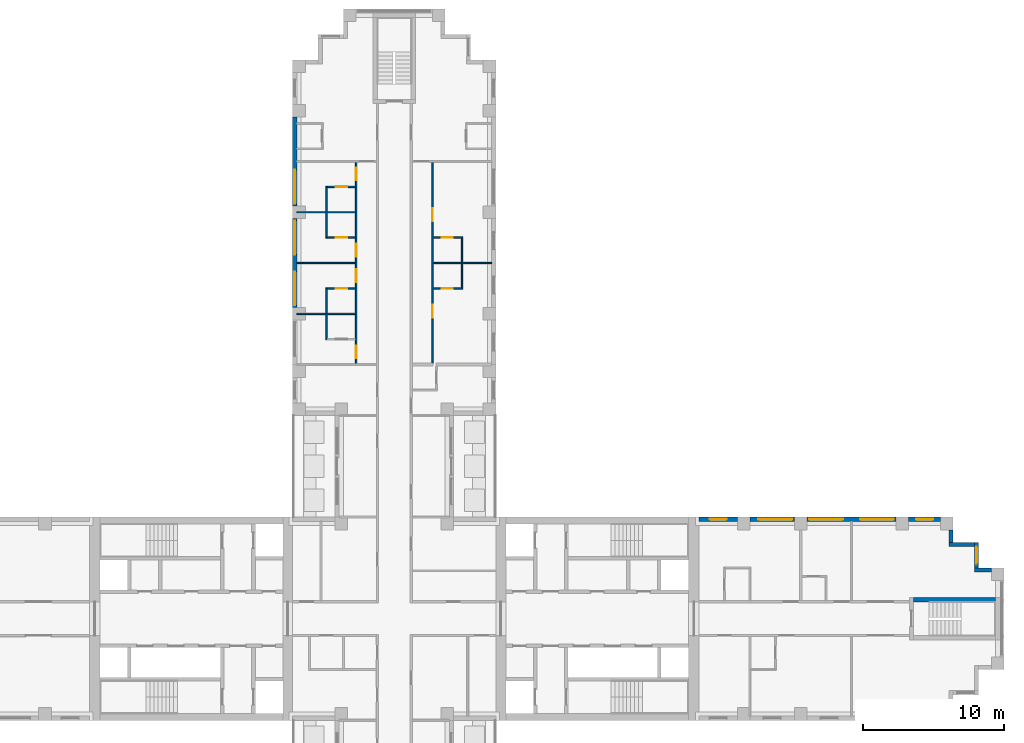
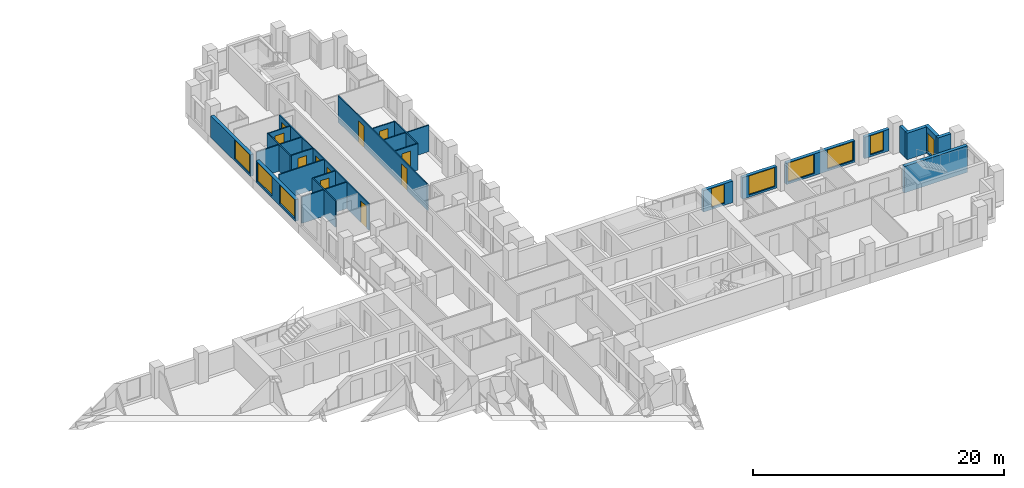
# One storey, part 11 of 15: 25 walls, 11 doors, 9 windows, 20 openings.
"""IFC4 building model written with IfcOpenShell, lengths in metres."""

from ifc_helpers import new_model, si_unit, direction, frame, frame_2d, origin, place, context, subcontext, project, spatial, rectangle, extrude, material, layer, layer_set, type_object, element, fill, save


model = new_model("IFC4")

# Units and contexts
model_context = context("Model", 3, precision=1e-05, world=origin(), true_north=direction((0.0, 1.0)))
body_context = subcontext(model_context, "Body", "Model", "MODEL_VIEW")
ifc_project = project(units=[si_unit("LENGTHUNIT", "METRE"), si_unit("AREAUNIT", "SQUARE_METRE"), si_unit("VOLUMEUNIT", "CUBIC_METRE"), si_unit("PLANEANGLEUNIT", "RADIAN"), si_unit("MASSUNIT", "GRAM", prefix="KILO")], contexts=[model_context])

# Site, building, storey
site_placement = place(None, origin())
site = spatial("IfcSite", under=ifc_project, at=site_placement, CompositionType="ELEMENT")
building_placement = place(site_placement, origin())
building = spatial("IfcBuilding", under=site, at=building_placement, Name="Fustian Cross Tower", CompositionType="ELEMENT")
storey_placement = place(building_placement, frame((0.0, 0.0, 29.699951171875)))
storey = spatial("IfcBuildingStorey", under=building, at=storey_placement, Name="L08", CompositionType="ELEMENT", Elevation=29.699951171875)

# Walls
ifc_material_1 = material(Name="Plasterboard on steel stud", Category="steel")
ifc_layer_1 = layer(ifc_material_1, 0.10009765625)
ifc_layer_set_1 = layer_set([ifc_layer_1], Name="Plasterboard on steel stud")
wall_type_1 = type_object("IfcWallType", Name="PARTITION 100 STUD", PredefinedType="PARTITIONING", material=ifc_layer_set_1)
for number, where, z_axis, x_axis, name in (
    (1, (-6.89990234375, 21.60009765625, 0.0), (0.0, 0.0, 1.0), (1.0, 0.0, 0.0), "Partition 15"),
    (2, (-6.89990234375, 25.199951171875, 0.0), (0.0, 0.0, 1.0), (1.0, 0.0, 0.0), "Partition 16"),
    (3, (-6.89990234375, 28.800048828125, 0.0), (0.0, 0.0, 1.0), (1.0, 0.0, 0.0), "Partition 17"),
):
    element("IfcWall", number, at=place(storey_placement, frame(where, z_axis=z_axis, x_axis=x_axis)), inside=storey, type_object=wall_type_1, Name=name, PredefinedType="PARTITIONING", context=body_context, shape_type="SweptSolid", body=[
        extrude(rectangle(XDim=4.14990234375, YDim=0.10009765625, at=frame_2d((2.074951171875, 0.0))), origin(), (0.0, 0.0, 1.0), 2.574951171875),
    ])
wall_1_placement = place(storey_placement, frame((-4.800048828125, 19.75, 0.0), z_axis=(0.0, 0.0, 1.0), x_axis=(0.0, 1.0, 0.0)))
element("IfcWall", 4, at=wall_1_placement, inside=storey, type_object=wall_type_1, Name="Partition 29", PredefinedType="PARTITIONING", context=body_context, shape_type="SweptSolid", body=[
    extrude(rectangle(XDim=3.699951171875, YDim=0.10009765625, at=frame_2d((1.85009765625, 0.0))), origin(), (0.0, 0.0, 1.0), 2.574951171875),
])

# Wall, opening, door
wall_2_placement = place(storey_placement, frame((-4.75, 23.39990234375, 0.0), z_axis=(0.0, 0.0, 1.0), x_axis=(1.0, 0.0, 0.0)))
wall_2 = element("IfcWall", 5, at=wall_2_placement, inside=storey, type_object=wall_type_1, Name="Partition 31", PredefinedType="PARTITIONING", context=body_context, shape_type="SweptSolid", body=[
    extrude(rectangle(XDim=2.0, YDim=0.10009765625, at=frame_2d((1.0, 0.0))), origin(), (0.0, 0.0, 1.0), 2.574951171875),
])
opening_1_placement = place(wall_2_placement, frame((0.60009765625, 0.0, 0.0)))
opening_1 = element("IfcOpeningElement", 6, at=opening_1_placement, cuts=wall_2, Name="Opening D06029", PredefinedType="OPENING", context=body_context, shape_type="SweptSolid", body=[
    extrude(rectangle(XDim=0.800048828125, YDim=2.10009765625, at=frame_2d((0.39990234375, 1.050048828125))), frame((0.0, 0.06005859375, 0.0), z_axis=(0.0, -1.0, 0.0), x_axis=(1.0, 0.0, 0.0)), (0.0, 0.0, 1.0), 0.1201171875),
])
ifc_material_2 = material(Name="Painted timber", Category="wood")
door_type_1 = type_object("IfcDoorType", Name="SWING DOOR 800", OperationType="SINGLE_SWING_LEFT", PredefinedType="DOOR", material=ifc_material_2)
door_1_placement = place(opening_1_placement, frame((0.800048828125, 0.0, 0.0), z_axis=(0.0, 0.0, 1.0), x_axis=(-1.0, 0.0, 0.0)))
door_1 = element("IfcDoor", 7, at=door_1_placement, inside=storey, type_object=door_type_1, Name="Door D06029", OperationType="SINGLE_SWING_RIGHT", OverallHeight=2.10009765625, OverallWidth=0.800048828125, PredefinedType="DOOR", context=body_context, shape_type="SweptSolid", body=[
    extrude(rectangle(XDim=0.800048828125, YDim=2.10009765625, at=frame_2d((0.39990234375, 1.050048828125))), frame((0.0, 0.02490234375, 0.0), z_axis=(0.0, -1.0, 0.0), x_axis=(1.0, 0.0, 0.0)), (0.0, 0.0, 1.0), 0.050048828125),
])
fill(opening_1, door_1)

# Wall
wall_3_placement = place(storey_placement, frame((-4.800048828125, 26.949951171875, 0.0), z_axis=(0.0, 0.0, 1.0), x_axis=(0.0, 1.0, 0.0)))
element("IfcWall", 8, at=wall_3_placement, inside=storey, type_object=wall_type_1, Name="Partition 32", PredefinedType="PARTITIONING", context=body_context, shape_type="SweptSolid", body=[
    extrude(rectangle(XDim=3.699951171875, YDim=0.10009765625, at=frame_2d((1.85009765625, 0.0))), origin(), (0.0, 0.0, 1.0), 2.574951171875),
])

# Wall, opening, door
wall_4_placement = place(storey_placement, frame((-4.75, 27.0, 0.0), z_axis=(0.0, 0.0, 1.0), x_axis=(1.0, 0.0, 0.0)))
wall_4 = element("IfcWall", 9, at=wall_4_placement, inside=storey, type_object=wall_type_1, Name="Partition 33", PredefinedType="PARTITIONING", context=body_context, shape_type="SweptSolid", body=[
    extrude(rectangle(XDim=2.0, YDim=0.10009765625, at=frame_2d((1.0, 0.0))), origin(), (0.0, 0.0, 1.0), 2.574951171875),
])
opening_2_placement = place(wall_4_placement, frame((0.60009765625, 0.0, 0.0)))
opening_2 = element("IfcOpeningElement", 10, at=opening_2_placement, cuts=wall_4, Name="Opening D06030", PredefinedType="OPENING", context=body_context, shape_type="SweptSolid", body=[
    extrude(rectangle(XDim=0.800048828125, YDim=2.10009765625, at=frame_2d((0.39990234375, 1.050048828125))), frame((0.0, 0.06005859375, 0.0), z_axis=(0.0, -1.0, 0.0), x_axis=(1.0, 0.0, 0.0)), (0.0, 0.0, 1.0), 0.1201171875),
])
door_2_placement = place(opening_2_placement, origin())
door_2 = element("IfcDoor", 11, at=door_2_placement, inside=storey, type_object=door_type_1, Name="Door D06030", OperationType="SINGLE_SWING_LEFT", OverallHeight=2.10009765625, OverallWidth=0.800048828125, PredefinedType="DOOR", context=body_context, shape_type="SweptSolid", body=[
    extrude(rectangle(XDim=0.800048828125, YDim=2.10009765625, at=frame_2d((0.39990234375, 1.050048828125))), frame((0.0, 0.02490234375, 0.0), z_axis=(0.0, -1.0, 0.0), x_axis=(1.0, 0.0, 0.0)), (0.0, 0.0, 1.0), 0.050048828125),
])
fill(opening_2, door_2)

wall_5_placement = place(storey_placement, frame((-4.75, 30.60009765625, 0.0), z_axis=(0.0, 0.0, 1.0), x_axis=(1.0, 0.0, 0.0)))
wall_5 = element("IfcWall", 12, at=wall_5_placement, inside=storey, type_object=wall_type_1, Name="Partition 34", PredefinedType="PARTITIONING", context=body_context, shape_type="SweptSolid", body=[
    extrude(rectangle(XDim=2.0, YDim=0.10009765625, at=frame_2d((1.0, 0.0))), origin(), (0.0, 0.0, 1.0), 2.574951171875),
])
opening_3_placement = place(wall_5_placement, frame((0.60009765625, 0.0, 0.0)))
opening_3 = element("IfcOpeningElement", 13, at=opening_3_placement, cuts=wall_5, Name="Opening D06031", PredefinedType="OPENING", context=body_context, shape_type="SweptSolid", body=[
    extrude(rectangle(XDim=0.800048828125, YDim=2.10009765625, at=frame_2d((0.39990234375, 1.050048828125))), frame((0.0, 0.06005859375, 0.0), z_axis=(0.0, -1.0, 0.0), x_axis=(1.0, 0.0, 0.0)), (0.0, 0.0, 1.0), 0.1201171875),
])
door_3_placement = place(opening_3_placement, frame((0.800048828125, 0.0, 0.0), z_axis=(0.0, 0.0, 1.0), x_axis=(-1.0, 0.0, 0.0)))
door_3 = element("IfcDoor", 14, at=door_3_placement, inside=storey, type_object=door_type_1, Name="Door D06031", OperationType="SINGLE_SWING_RIGHT", OverallHeight=2.10009765625, OverallWidth=0.800048828125, PredefinedType="DOOR", context=body_context, shape_type="SweptSolid", body=[
    extrude(rectangle(XDim=0.800048828125, YDim=2.10009765625, at=frame_2d((0.39990234375, 1.050048828125))), frame((0.0, 0.02490234375, 0.0), z_axis=(0.0, -1.0, 0.0), x_axis=(1.0, 0.0, 0.0)), (0.0, 0.0, 1.0), 0.050048828125),
])
fill(opening_3, door_3)

# Wall, openings, doors
wall_6_placement = place(storey_placement, frame((-2.699951171875, 18.050048828125, 0.0), z_axis=(0.0, 0.0, 1.0), x_axis=(0.0, 1.0, 0.0)))
wall_6 = element("IfcWall", 15, at=wall_6_placement, inside=storey, type_object=wall_type_1, Name="Partition 44", PredefinedType="PARTITIONING", context=body_context, shape_type="SweptSolid", body=[
    extrude(rectangle(XDim=14.300048828125, YDim=0.10009765625, at=frame_2d((7.14990234375, 0.0))), origin(), (0.0, 0.0, 1.0), 2.574951171875),
])
opening_4_placement = place(wall_6_placement, frame((0.400146484375, 0.0, 0.0)))
opening_4 = element("IfcOpeningElement", 16, at=opening_4_placement, cuts=wall_6, Name="Opening D06023", PredefinedType="OPENING", context=body_context, shape_type="SweptSolid", body=[
    extrude(rectangle(XDim=0.89990234375, YDim=2.10009765625, at=frame_2d((0.449951171875, 1.050048828125))), frame((0.0, 0.06005859375, 0.0), z_axis=(0.0, -1.0, 0.0), x_axis=(1.0, 0.0, 0.0)), (0.0, 0.0, 1.0), 0.1201171875),
])
opening_5_placement = place(wall_6_placement, frame((5.800048828125, 0.0, 0.0)))
opening_5 = element("IfcOpeningElement", 17, at=opening_5_placement, cuts=wall_6, Name="Opening D06024", PredefinedType="OPENING", context=body_context, shape_type="SweptSolid", body=[
    extrude(rectangle(XDim=0.89990234375, YDim=2.10009765625, at=frame_2d((0.449951171875, 1.050048828125))), frame((0.0, 0.06005859375, 0.0), z_axis=(0.0, -1.0, 0.0), x_axis=(1.0, 0.0, 0.0)), (0.0, 0.0, 1.0), 0.1201171875),
])
opening_6_placement = place(wall_6_placement, frame((7.60009765625, 0.0, 0.0)))
opening_6 = element("IfcOpeningElement", 18, at=opening_6_placement, cuts=wall_6, Name="Opening D06025", PredefinedType="OPENING", context=body_context, shape_type="SweptSolid", body=[
    extrude(rectangle(XDim=0.89990234375, YDim=2.10009765625, at=frame_2d((0.449951171875, 1.050048828125))), frame((0.0, 0.06005859375, 0.0), z_axis=(0.0, -1.0, 0.0), x_axis=(1.0, 0.0, 0.0)), (0.0, 0.0, 1.0), 0.1201171875),
])
opening_7_placement = place(wall_6_placement, frame((13.0, 0.0, 0.0)))
opening_7 = element("IfcOpeningElement", 19, at=opening_7_placement, cuts=wall_6, Name="Opening D06026", PredefinedType="OPENING", context=body_context, shape_type="SweptSolid", body=[
    extrude(rectangle(XDim=0.89990234375, YDim=2.10009765625, at=frame_2d((0.449951171875, 1.050048828125))), frame((0.0, 0.06005859375, 0.0), z_axis=(0.0, -1.0, 0.0), x_axis=(1.0, 0.0, 0.0)), (0.0, 0.0, 1.0), 0.1201171875),
])
ifc_material_3 = material(Name="Painted timber", Category="wood")
door_type_2 = type_object("IfcDoorType", Name="SWING DOOR 900", OperationType="SINGLE_SWING_LEFT", PredefinedType="DOOR", material=ifc_material_3)
door_4_placement = place(opening_4_placement, origin())
door_4 = element("IfcDoor", 20, at=door_4_placement, inside=storey, type_object=door_type_2, Name="Door D06023", OperationType="SINGLE_SWING_LEFT", OverallHeight=2.10009765625, OverallWidth=0.89990234375, PredefinedType="DOOR", context=body_context, shape_type="SweptSolid", body=[
    extrude(rectangle(XDim=0.89990234375, YDim=2.10009765625, at=frame_2d((0.449951171875, 1.050048828125))), frame((0.0, 0.02490234375, 0.0), z_axis=(0.0, -1.0, 0.0), x_axis=(1.0, 0.0, 0.0)), (0.0, 0.0, 1.0), 0.050048828125),
])
fill(opening_4, door_4)
door_5_placement = place(opening_5_placement, origin())
door_5 = element("IfcDoor", 21, at=door_5_placement, inside=storey, type_object=door_type_2, Name="Door D06024", OperationType="SINGLE_SWING_LEFT", OverallHeight=2.10009765625, OverallWidth=0.89990234375, PredefinedType="DOOR", context=body_context, shape_type="SweptSolid", body=[
    extrude(rectangle(XDim=0.89990234375, YDim=2.10009765625, at=frame_2d((0.449951171875, 1.050048828125))), frame((0.0, 0.02490234375, 0.0), z_axis=(0.0, -1.0, 0.0), x_axis=(1.0, 0.0, 0.0)), (0.0, 0.0, 1.0), 0.050048828125),
])
fill(opening_5, door_5)
door_6_placement = place(opening_6_placement, origin())
door_6 = element("IfcDoor", 22, at=door_6_placement, inside=storey, type_object=door_type_2, Name="Door D06025", OperationType="SINGLE_SWING_LEFT", OverallHeight=2.10009765625, OverallWidth=0.89990234375, PredefinedType="DOOR", context=body_context, shape_type="SweptSolid", body=[
    extrude(rectangle(XDim=0.89990234375, YDim=2.10009765625, at=frame_2d((0.449951171875, 1.050048828125))), frame((0.0, 0.02490234375, 0.0), z_axis=(0.0, -1.0, 0.0), x_axis=(1.0, 0.0, 0.0)), (0.0, 0.0, 1.0), 0.050048828125),
])
fill(opening_6, door_6)
door_7_placement = place(opening_7_placement, origin())
door_7 = element("IfcDoor", 23, at=door_7_placement, inside=storey, type_object=door_type_2, Name="Door D06026", OperationType="SINGLE_SWING_LEFT", OverallHeight=2.10009765625, OverallWidth=0.89990234375, PredefinedType="DOOR", context=body_context, shape_type="SweptSolid", body=[
    extrude(rectangle(XDim=0.89990234375, YDim=2.10009765625, at=frame_2d((0.449951171875, 1.050048828125))), frame((0.0, 0.02490234375, 0.0), z_axis=(0.0, -1.0, 0.0), x_axis=(1.0, 0.0, 0.0)), (0.0, 0.0, 1.0), 0.050048828125),
])
fill(opening_7, door_7)

wall_7_placement = place(storey_placement, frame((2.699951171875, 18.10009765625, 0.0), z_axis=(0.0, 0.0, 1.0), x_axis=(0.0, 1.0, 0.0)))
wall_7 = element("IfcWall", 24, at=wall_7_placement, inside=storey, type_object=wall_type_1, Name="Partition 70", PredefinedType="PARTITIONING", context=body_context, shape_type="SweptSolid", body=[
    extrude(rectangle(XDim=14.25, YDim=0.10009765625, at=frame_2d((7.125, 0.0))), origin(), (0.0, 0.0, 1.0), 2.574951171875),
])
opening_8_placement = place(wall_7_placement, frame((3.22998046875, 0.0, 0.0)))
opening_8 = element("IfcOpeningElement", 25, at=opening_8_placement, cuts=wall_7, Name="Opening D06038", PredefinedType="OPENING", context=body_context, shape_type="SweptSolid", body=[
    extrude(rectangle(XDim=0.89990234375, YDim=2.10009765625, at=frame_2d((0.449951171875, 1.050048828125))), frame((0.0, 0.06005859375, 0.0), z_axis=(0.0, -1.0, 0.0), x_axis=(1.0, 0.0, 0.0)), (0.0, 0.0, 1.0), 0.1201171875),
])
opening_9_placement = place(wall_7_placement, frame((10.06982421875, 0.0, 0.0)))
opening_9 = element("IfcOpeningElement", 26, at=opening_9_placement, cuts=wall_7, Name="Opening D06039", PredefinedType="OPENING", context=body_context, shape_type="SweptSolid", body=[
    extrude(rectangle(XDim=0.89990234375, YDim=2.10009765625, at=frame_2d((0.449951171875, 1.050048828125))), frame((0.0, 0.06005859375, 0.0), z_axis=(0.0, -1.0, 0.0), x_axis=(1.0, 0.0, 0.0)), (0.0, 0.0, 1.0), 0.1201171875),
])
door_8_placement = place(opening_8_placement, origin())
door_8 = element("IfcDoor", 27, at=door_8_placement, inside=storey, type_object=door_type_2, Name="Door D06038", OperationType="SINGLE_SWING_LEFT", OverallHeight=2.10009765625, OverallWidth=0.89990234375, PredefinedType="DOOR", context=body_context, shape_type="SweptSolid", body=[
    extrude(rectangle(XDim=0.89990234375, YDim=2.10009765625, at=frame_2d((0.449951171875, 1.050048828125))), frame((0.0, 0.02490234375, 0.0), z_axis=(0.0, -1.0, 0.0), x_axis=(1.0, 0.0, 0.0)), (0.0, 0.0, 1.0), 0.050048828125),
])
fill(opening_8, door_8)
door_9_placement = place(opening_9_placement, origin())
door_9 = element("IfcDoor", 28, at=door_9_placement, inside=storey, type_object=door_type_2, Name="Door D06039", OperationType="SINGLE_SWING_RIGHT", OverallHeight=2.10009765625, OverallWidth=0.89990234375, PredefinedType="DOOR", context=body_context, shape_type="SweptSolid", body=[
    extrude(rectangle(XDim=0.89990234375, YDim=2.10009765625, at=frame_2d((0.449951171875, 1.050048828125))), frame((0.0, 0.02490234375, 0.0), z_axis=(0.0, -1.0, 0.0), x_axis=(1.0, 0.0, 0.0)), (0.0, 0.0, 1.0), 0.050048828125),
])
fill(opening_9, door_9)

# Wall, opening, door
wall_8_placement = place(storey_placement, frame((2.75, 23.39990234375, 0.0), z_axis=(0.0, 0.0, 1.0), x_axis=(1.0, 0.0, 0.0)))
wall_8 = element("IfcWall", 29, at=wall_8_placement, inside=storey, type_object=wall_type_1, Name="Partition 71", PredefinedType="PARTITIONING", context=body_context, shape_type="SweptSolid", body=[
    extrude(rectangle(XDim=2.10009765625, YDim=0.10009765625, at=frame_2d((1.050048828125, 0.0))), origin(), (0.0, 0.0, 1.0), 2.574951171875),
])
opening_10_placement = place(wall_8_placement, frame((0.60009765625, 0.0, 0.0)))
opening_10 = element("IfcOpeningElement", 30, at=opening_10_placement, cuts=wall_8, Name="Opening D06040", PredefinedType="OPENING", context=body_context, shape_type="SweptSolid", body=[
    extrude(rectangle(XDim=0.800048828125, YDim=2.10009765625, at=frame_2d((0.39990234375, 1.050048828125))), frame((0.0, 0.06005859375, 0.0), z_axis=(0.0, -1.0, 0.0), x_axis=(1.0, 0.0, 0.0)), (0.0, 0.0, 1.0), 0.1201171875),
])
door_10_placement = place(opening_10_placement, origin())
door_10 = element("IfcDoor", 31, at=door_10_placement, inside=storey, type_object=door_type_1, Name="Door D06040", OperationType="SINGLE_SWING_LEFT", OverallHeight=2.10009765625, OverallWidth=0.800048828125, PredefinedType="DOOR", context=body_context, shape_type="SweptSolid", body=[
    extrude(rectangle(XDim=0.800048828125, YDim=2.10009765625, at=frame_2d((0.39990234375, 1.050048828125))), frame((0.0, 0.02490234375, 0.0), z_axis=(0.0, -1.0, 0.0), x_axis=(1.0, 0.0, 0.0)), (0.0, 0.0, 1.0), 0.050048828125),
])
fill(opening_10, door_10)

# Wall
wall_9_placement = place(storey_placement, frame((2.75, 25.199951171875, 0.0), z_axis=(0.0, 0.0, 1.0), x_axis=(1.0, 0.0, 0.0)))
element("IfcWall", 32, at=wall_9_placement, inside=storey, type_object=wall_type_1, Name="Partition 72", PredefinedType="PARTITIONING", context=body_context, shape_type="SweptSolid", body=[
    extrude(rectangle(XDim=4.14990234375, YDim=0.10009765625, at=frame_2d((2.074951171875, 0.0))), origin(), (0.0, 0.0, 1.0), 2.574951171875),
])

# Wall, opening, door
wall_10_placement = place(storey_placement, frame((2.75, 27.0, 0.0), z_axis=(0.0, 0.0, 1.0), x_axis=(1.0, 0.0, 0.0)))
wall_10 = element("IfcWall", 33, at=wall_10_placement, inside=storey, type_object=wall_type_1, Name="Partition 73", PredefinedType="PARTITIONING", context=body_context, shape_type="SweptSolid", body=[
    extrude(rectangle(XDim=2.10009765625, YDim=0.10009765625, at=frame_2d((1.050048828125, 0.0))), origin(), (0.0, 0.0, 1.0), 2.574951171875),
])
opening_11_placement = place(wall_10_placement, frame((0.60009765625, 0.0, 0.0)))
opening_11 = element("IfcOpeningElement", 34, at=opening_11_placement, cuts=wall_10, Name="Opening D06041", PredefinedType="OPENING", context=body_context, shape_type="SweptSolid", body=[
    extrude(rectangle(XDim=0.800048828125, YDim=2.10009765625, at=frame_2d((0.39990234375, 1.050048828125))), frame((0.0, 0.06005859375, 0.0), z_axis=(0.0, -1.0, 0.0), x_axis=(1.0, 0.0, 0.0)), (0.0, 0.0, 1.0), 0.1201171875),
])
door_11_placement = place(opening_11_placement, frame((0.800048828125, 0.0, 0.0), z_axis=(0.0, 0.0, 1.0), x_axis=(-1.0, 0.0, 0.0)))
door_11 = element("IfcDoor", 35, at=door_11_placement, inside=storey, type_object=door_type_1, Name="Door D06041", OperationType="SINGLE_SWING_RIGHT", OverallHeight=2.10009765625, OverallWidth=0.800048828125, PredefinedType="DOOR", context=body_context, shape_type="SweptSolid", body=[
    extrude(rectangle(XDim=0.800048828125, YDim=2.10009765625, at=frame_2d((0.39990234375, 1.050048828125))), frame((0.0, 0.02490234375, 0.0), z_axis=(0.0, -1.0, 0.0), x_axis=(1.0, 0.0, 0.0)), (0.0, 0.0, 1.0), 0.050048828125),
])
fill(opening_11, door_11)

# Walls
wall_11_placement = place(storey_placement, frame((4.800048828125, 23.449951171875, 0.0), z_axis=(0.0, 0.0, 1.0), x_axis=(0.0, 1.0, 0.0)))
element("IfcWall", 36, at=wall_11_placement, inside=storey, type_object=wall_type_1, Name="Partition 80", PredefinedType="PARTITIONING", context=body_context, shape_type="SweptSolid", body=[
    extrude(rectangle(XDim=3.5, YDim=0.10009765625, at=frame_2d((1.75, 0.0))), origin(), (0.0, 0.0, 1.0), 2.574951171875),
])
ifc_material_4 = material(Name="Concrete C50/60", Category="concrete")
ifc_layer_2 = layer(ifc_material_4, 0.300048828125)
ifc_layer_set_2 = layer_set([ifc_layer_2], Name="Concrete C50/60")
wall_type_2 = type_object("IfcWallType", Name="STAIR ENCLOSURE WALL 300 C50/60", PredefinedType="SHEAR", material=ifc_layer_set_2)
wall_12_placement = place(storey_placement, frame((36.800048828125, 1.35009765625, 0.0), z_axis=(0.0, 0.0, 1.0), x_axis=(1.0, 0.0, 0.0)))
element("IfcWall", 37, at=wall_12_placement, inside=storey, type_object=wall_type_2, Name="Stair enclosure wall", PredefinedType="SHEAR", context=body_context, shape_type="SweptSolid", body=[
    extrude(rectangle(XDim=5.800048828125, YDim=0.300048828125, at=frame_2d((2.89990234375, 0.0))), origin(), (0.0, 0.0, 1.0), 2.574951171875),
])
ifc_material_5 = material(Name="Dark aluminium cladding on insulated backing wall", Category="aluminium")
ifc_layer_3 = layer(ifc_material_5, 0.300048828125)
ifc_layer_set_3 = layer_set([ifc_layer_3], Name="Dark aluminium cladding on insulated backing wall")
wall_type_3 = type_object("IfcWallType", Name="XW1 EXTERNAL WALL 300", PredefinedType="SOLIDWALL", material=ifc_layer_set_3)
wall_13_placement = place(storey_placement, frame((42.300048828125, 3.449951171875, 0.0), z_axis=(0.0, 0.0, 1.0), x_axis=(-1.0, 0.0, 0.0)))
element("IfcWall", 38, at=wall_13_placement, inside=storey, type_object=wall_type_3, Name="External wall", PredefinedType="SOLIDWALL", context=body_context, shape_type="SweptSolid", body=[
    extrude(rectangle(XDim=1.199951171875, YDim=0.300048828125, at=frame_2d((0.60009765625, 0.0))), origin(), (0.0, 0.0, 1.0), 2.574951171875),
])

# Wall, opening, window
wall_14_placement = place(storey_placement, frame((41.25, 3.60009765625, 0.0), z_axis=(0.0, 0.0, 1.0), x_axis=(0.0, 1.0, 0.0)))
wall_14 = element("IfcWall", 39, at=wall_14_placement, inside=storey, type_object=wall_type_3, Name="External wall", PredefinedType="SOLIDWALL", context=body_context, shape_type="SweptSolid", body=[
    extrude(rectangle(XDim=1.7998046875, YDim=0.300048828125, at=frame_2d((0.89990234375, 0.0))), origin(), (0.0, 0.0, 1.0), 2.574951171875),
])
opening_12_placement = place(wall_14_placement, frame((0.300048828125, 0.0, 0.199951171875)))
opening_12 = element("IfcOpeningElement", 40, at=opening_12_placement, cuts=wall_14, Name="Opening WN3", PredefinedType="OPENING", context=body_context, shape_type="SweptSolid", body=[
    extrude(rectangle(XDim=1.199951171875, YDim=1.85009765625, at=frame_2d((0.60009765625, 0.925048828125))), frame((0.0, 0.159912109375, 0.0), z_axis=(0.0, -1.0, 0.0), x_axis=(1.0, 0.0, 0.0)), (0.0, 0.0, 1.0), 0.320068359375),
])
ifc_material_6 = material(Name="Dark anodised aluminium and double glazing", Category="aluminium")
window_type_1 = type_object("IfcWindowType", Name="WN3 WINDOW 1200X1850", PartitioningType="SINGLE_PANEL", PredefinedType="WINDOW", material=ifc_material_6)
window_1_placement = place(opening_12_placement, origin())
window_1 = element("IfcWindow", 41, at=window_1_placement, inside=storey, type_object=window_type_1, Name="Window", OverallHeight=1.85009765625, OverallWidth=1.199951171875, PartitioningType="SINGLE_PANEL", PredefinedType="WINDOW", context=body_context, shape_type="SweptSolid", body=[
    extrude(rectangle(XDim=1.199951171875, YDim=1.85009765625, at=frame_2d((0.60009765625, 0.925048828125))), frame((0.0, 0.030029296875, 0.0), z_axis=(0.0, -1.0, 0.0), x_axis=(1.0, 0.0, 0.0)), (0.0, 0.0, 1.0), 0.06005859375),
])
fill(opening_12, window_1)

# Walls
wall_15_placement = place(storey_placement, frame((41.10009765625, 5.25, 0.0), z_axis=(0.0, 0.0, 1.0), x_axis=(-1.0, 0.0, 0.0)))
element("IfcWall", 42, at=wall_15_placement, inside=storey, type_object=wall_type_3, Name="External wall", PredefinedType="SOLIDWALL", context=body_context, shape_type="SweptSolid", body=[
    extrude(rectangle(XDim=1.800048828125, YDim=0.300048828125, at=frame_2d((0.89990234375, 0.0))), origin(), (0.0, 0.0, 1.0), 2.574951171875),
])
wall_16_placement = place(storey_placement, frame((39.449951171875, 5.39990234375, 0.0), z_axis=(0.0, 0.0, 1.0), x_axis=(0.0, 1.0, 0.0)))
element("IfcWall", 43, at=wall_16_placement, inside=storey, type_object=wall_type_3, Name="External wall", PredefinedType="SOLIDWALL", context=body_context, shape_type="SweptSolid", body=[
    extrude(rectangle(XDim=0.900146484375, YDim=0.300048828125, at=frame_2d((0.4501953125, 0.0))), origin(), (0.0, 0.0, 1.0), 2.574951171875),
])

# Wall, opening, window
wall_17_placement = place(storey_placement, frame((38.699951171875, 7.050048828125, 0.0), z_axis=(0.0, 0.0, 1.0), x_axis=(-1.0, 0.0, 0.0)))
wall_17 = element("IfcWall", 44, at=wall_17_placement, inside=storey, type_object=wall_type_3, Name="External wall", PredefinedType="SOLIDWALL", context=body_context, shape_type="SweptSolid", body=[
    extrude(rectangle(XDim=2.25, YDim=0.300048828125, at=frame_2d((1.125, 0.0))), origin(), (0.0, 0.0, 1.0), 2.10009765625),
])
opening_13_placement = place(wall_17_placement, frame((0.52490234375, 0.0, 0.199951171875)))
opening_13 = element("IfcOpeningElement", 45, at=opening_13_placement, cuts=wall_17, Name="Opening WN3", PredefinedType="OPENING", context=body_context, shape_type="SweptSolid", body=[
    extrude(rectangle(XDim=1.199951171875, YDim=1.85009765625, at=frame_2d((0.60009765625, 0.925048828125))), frame((0.0, 0.159912109375, 0.0), z_axis=(0.0, -1.0, 0.0), x_axis=(1.0, 0.0, 0.0)), (0.0, 0.0, 1.0), 0.320068359375),
])
window_2_placement = place(opening_13_placement, origin())
window_2 = element("IfcWindow", 46, at=window_2_placement, inside=storey, type_object=window_type_1, Name="Window", OverallHeight=1.85009765625, OverallWidth=1.199951171875, PartitioningType="SINGLE_PANEL", PredefinedType="WINDOW", context=body_context, shape_type="SweptSolid", body=[
    extrude(rectangle(XDim=1.199951171875, YDim=1.85009765625, at=frame_2d((0.60009765625, 0.925048828125))), frame((0.0, 0.030029296875, 0.0), z_axis=(0.0, -1.0, 0.0), x_axis=(1.0, 0.0, 0.0)), (0.0, 0.0, 1.0), 0.06005859375),
])
fill(opening_13, window_2)

# Wall, openings, windows
wall_18_placement = place(storey_placement, frame((35.550048828125, 7.050048828125, 0.0), z_axis=(0.0, 0.0, 1.0), x_axis=(-1.0, 0.0, 0.0)))
wall_18 = element("IfcWall", 47, at=wall_18_placement, inside=storey, type_object=wall_type_3, Name="External wall", PredefinedType="SOLIDWALL", context=body_context, shape_type="SweptSolid", body=[
    extrude(rectangle(XDim=6.300048828125, YDim=0.300048828125, at=frame_2d((3.14990234375, 0.0))), origin(), (0.0, 0.0, 1.0), 2.10009765625),
])
opening_14_placement = place(wall_18_placement, frame((0.14990234375, 0.0, 0.199951171875)))
opening_14 = element("IfcOpeningElement", 48, at=opening_14_placement, cuts=wall_18, Name="Opening WN1", PredefinedType="OPENING", context=body_context, shape_type="SweptSolid", body=[
    extrude(rectangle(XDim=2.39990234375, YDim=1.85009765625, at=frame_2d((1.199951171875, 0.925048828125))), frame((0.0, 0.159912109375, 0.0), z_axis=(0.0, -1.0, 0.0), x_axis=(1.0, 0.0, 0.0)), (0.0, 0.0, 1.0), 0.320068359375),
])
opening_15_placement = place(wall_18_placement, frame((3.75, 0.0, 0.199951171875)))
opening_15 = element("IfcOpeningElement", 49, at=opening_15_placement, cuts=wall_18, Name="Opening WN1", PredefinedType="OPENING", context=body_context, shape_type="SweptSolid", body=[
    extrude(rectangle(XDim=2.39990234375, YDim=1.85009765625, at=frame_2d((1.199951171875, 0.925048828125))), frame((0.0, 0.159912109375, 0.0), z_axis=(0.0, -1.0, 0.0), x_axis=(1.0, 0.0, 0.0)), (0.0, 0.0, 1.0), 0.320068359375),
])
ifc_material_7 = material(Name="Dark anodised aluminium and double glazing", Category="aluminium")
window_type_2 = type_object("IfcWindowType", Name="WN1 WINDOW 2400X1850", PartitioningType="SINGLE_PANEL", PredefinedType="WINDOW", material=ifc_material_7)
window_3_placement = place(opening_14_placement, origin())
window_3 = element("IfcWindow", 50, at=window_3_placement, inside=storey, type_object=window_type_2, Name="Window", OverallHeight=1.85009765625, OverallWidth=2.39990234375, PartitioningType="SINGLE_PANEL", PredefinedType="WINDOW", context=body_context, shape_type="SweptSolid", body=[
    extrude(rectangle(XDim=2.39990234375, YDim=1.85009765625, at=frame_2d((1.199951171875, 0.925048828125))), frame((0.0, 0.030029296875, 0.0), z_axis=(0.0, -1.0, 0.0), x_axis=(1.0, 0.0, 0.0)), (0.0, 0.0, 1.0), 0.06005859375),
])
fill(opening_14, window_3)
window_4_placement = place(opening_15_placement, origin())
window_4 = element("IfcWindow", 51, at=window_4_placement, inside=storey, type_object=window_type_2, Name="Window", OverallHeight=1.85009765625, OverallWidth=2.39990234375, PartitioningType="SINGLE_PANEL", PredefinedType="WINDOW", context=body_context, shape_type="SweptSolid", body=[
    extrude(rectangle(XDim=2.39990234375, YDim=1.85009765625, at=frame_2d((1.199951171875, 0.925048828125))), frame((0.0, 0.030029296875, 0.0), z_axis=(0.0, -1.0, 0.0), x_axis=(1.0, 0.0, 0.0)), (0.0, 0.0, 1.0), 0.06005859375),
])
fill(opening_15, window_4)

# Wall, opening, window
wall_19_placement = place(storey_placement, frame((28.35009765625, 7.050048828125, 0.0), z_axis=(0.0, 0.0, 1.0), x_axis=(-1.0, 0.0, 0.0)))
wall_19 = element("IfcWall", 52, at=wall_19_placement, inside=storey, type_object=wall_type_3, Name="External wall", PredefinedType="SOLIDWALL", context=body_context, shape_type="SweptSolid", body=[
    extrude(rectangle(XDim=3.150146484375, YDim=0.300048828125, at=frame_2d((1.5751953125, 0.0))), origin(), (0.0, 0.0, 1.0), 2.10009765625),
])
opening_16_placement = place(wall_19_placement, frame((0.14990234375, 0.0, 0.199951171875)))
opening_16 = element("IfcOpeningElement", 53, at=opening_16_placement, cuts=wall_19, Name="Opening WN1", PredefinedType="OPENING", context=body_context, shape_type="SweptSolid", body=[
    extrude(rectangle(XDim=2.39990234375, YDim=1.85009765625, at=frame_2d((1.199951171875, 0.925048828125))), frame((0.0, 0.159912109375, 0.0), z_axis=(0.0, -1.0, 0.0), x_axis=(1.0, 0.0, 0.0)), (0.0, 0.0, 1.0), 0.320068359375),
])
window_5_placement = place(opening_16_placement, origin())
window_5 = element("IfcWindow", 54, at=window_5_placement, inside=storey, type_object=window_type_2, Name="Window", OverallHeight=1.85009765625, OverallWidth=2.39990234375, PartitioningType="SINGLE_PANEL", PredefinedType="WINDOW", context=body_context, shape_type="SweptSolid", body=[
    extrude(rectangle(XDim=2.39990234375, YDim=1.85009765625, at=frame_2d((1.199951171875, 0.925048828125))), frame((0.0, 0.030029296875, 0.0), z_axis=(0.0, -1.0, 0.0), x_axis=(1.0, 0.0, 0.0)), (0.0, 0.0, 1.0), 0.06005859375),
])
fill(opening_16, window_5)

wall_20_placement = place(storey_placement, frame((24.300048828125, 7.050048828125, 0.0), z_axis=(0.0, 0.0, 1.0), x_axis=(-1.0, 0.0, 0.0)))
wall_20 = element("IfcWall", 55, at=wall_20_placement, inside=storey, type_object=wall_type_3, Name="External wall", PredefinedType="SOLIDWALL", context=body_context, shape_type="SweptSolid", body=[
    extrude(rectangle(XDim=2.699951171875, YDim=0.300048828125, at=frame_2d((1.35009765625, 0.0))), origin(), (0.0, 0.0, 1.0), 2.10009765625),
])
opening_17_placement = place(wall_20_placement, frame((0.75, 0.0, 0.199951171875)))
opening_17 = element("IfcOpeningElement", 56, at=opening_17_placement, cuts=wall_20, Name="Opening WN3", PredefinedType="OPENING", context=body_context, shape_type="SweptSolid", body=[
    extrude(rectangle(XDim=1.199951171875, YDim=1.85009765625, at=frame_2d((0.60009765625, 0.925048828125))), frame((0.0, 0.159912109375, 0.0), z_axis=(0.0, -1.0, 0.0), x_axis=(1.0, 0.0, 0.0)), (0.0, 0.0, 1.0), 0.320068359375),
])
window_6_placement = place(opening_17_placement, origin())
window_6 = element("IfcWindow", 57, at=window_6_placement, inside=storey, type_object=window_type_1, Name="Window", OverallHeight=1.85009765625, OverallWidth=1.199951171875, PartitioningType="SINGLE_PANEL", PredefinedType="WINDOW", context=body_context, shape_type="SweptSolid", body=[
    extrude(rectangle(XDim=1.199951171875, YDim=1.85009765625, at=frame_2d((0.60009765625, 0.925048828125))), frame((0.0, 0.030029296875, 0.0), z_axis=(0.0, -1.0, 0.0), x_axis=(1.0, 0.0, 0.0)), (0.0, 0.0, 1.0), 0.06005859375),
])
fill(opening_17, window_6)

wall_21_placement = place(storey_placement, frame((-7.050048828125, 35.550048828125, 0.0), z_axis=(0.0, 0.0, 1.0), x_axis=(0.0, -1.0, 0.0)))
wall_21 = element("IfcWall", 58, at=wall_21_placement, inside=storey, type_object=wall_type_3, Name="External wall", PredefinedType="SOLIDWALL", context=body_context, shape_type="SweptSolid", body=[
    extrude(rectangle(XDim=6.300048828125, YDim=0.300048828125, at=frame_2d((3.14990234375, 0.0))), origin(), (0.0, 0.0, 1.0), 2.10009765625),
])
opening_18_placement = place(wall_21_placement, frame((3.75, 0.0, 0.199951171875)))
opening_18 = element("IfcOpeningElement", 59, at=opening_18_placement, cuts=wall_21, Name="Opening WN1", PredefinedType="OPENING", context=body_context, shape_type="SweptSolid", body=[
    extrude(rectangle(XDim=2.39990234375, YDim=1.85009765625, at=frame_2d((1.199951171875, 0.925048828125))), frame((0.0, 0.159912109375, 0.0), z_axis=(0.0, -1.0, 0.0), x_axis=(1.0, 0.0, 0.0)), (0.0, 0.0, 1.0), 0.320068359375),
])
window_7_placement = place(opening_18_placement, origin())
window_7 = element("IfcWindow", 60, at=window_7_placement, inside=storey, type_object=window_type_2, Name="Window", OverallHeight=1.85009765625, OverallWidth=2.39990234375, PartitioningType="SINGLE_PANEL", PredefinedType="WINDOW", context=body_context, shape_type="SweptSolid", body=[
    extrude(rectangle(XDim=2.39990234375, YDim=1.85009765625, at=frame_2d((1.199951171875, 0.925048828125))), frame((0.0, 0.030029296875, 0.0), z_axis=(0.0, -1.0, 0.0), x_axis=(1.0, 0.0, 0.0)), (0.0, 0.0, 1.0), 0.06005859375),
])
fill(opening_18, window_7)

# Wall, openings, windows
wall_22_placement = place(storey_placement, frame((-7.050048828125, 28.35009765625, 0.0), z_axis=(0.0, 0.0, 1.0), x_axis=(0.0, -1.0, 0.0)))
wall_22 = element("IfcWall", 61, at=wall_22_placement, inside=storey, type_object=wall_type_3, Name="External wall", PredefinedType="SOLIDWALL", context=body_context, shape_type="SweptSolid", body=[
    extrude(rectangle(XDim=6.300048828125, YDim=0.300048828125, at=frame_2d((3.14990234375, 0.0))), origin(), (0.0, 0.0, 1.0), 2.10009765625),
])
opening_19_placement = place(wall_22_placement, frame((0.14990234375, 0.0, 0.199951171875)))
opening_19 = element("IfcOpeningElement", 62, at=opening_19_placement, cuts=wall_22, Name="Opening WN1", PredefinedType="OPENING", context=body_context, shape_type="SweptSolid", body=[
    extrude(rectangle(XDim=2.39990234375, YDim=1.85009765625, at=frame_2d((1.199951171875, 0.925048828125))), frame((0.0, 0.159912109375, 0.0), z_axis=(0.0, -1.0, 0.0), x_axis=(1.0, 0.0, 0.0)), (0.0, 0.0, 1.0), 0.320068359375),
])
opening_20_placement = place(wall_22_placement, frame((3.75, 0.0, 0.199951171875)))
opening_20 = element("IfcOpeningElement", 63, at=opening_20_placement, cuts=wall_22, Name="Opening WN1", PredefinedType="OPENING", context=body_context, shape_type="SweptSolid", body=[
    extrude(rectangle(XDim=2.39990234375, YDim=1.85009765625, at=frame_2d((1.199951171875, 0.925048828125))), frame((0.0, 0.159912109375, 0.0), z_axis=(0.0, -1.0, 0.0), x_axis=(1.0, 0.0, 0.0)), (0.0, 0.0, 1.0), 0.320068359375),
])
window_8_placement = place(opening_19_placement, origin())
window_8 = element("IfcWindow", 64, at=window_8_placement, inside=storey, type_object=window_type_2, Name="Window", OverallHeight=1.85009765625, OverallWidth=2.39990234375, PartitioningType="SINGLE_PANEL", PredefinedType="WINDOW", context=body_context, shape_type="SweptSolid", body=[
    extrude(rectangle(XDim=2.39990234375, YDim=1.85009765625, at=frame_2d((1.199951171875, 0.925048828125))), frame((0.0, 0.030029296875, 0.0), z_axis=(0.0, -1.0, 0.0), x_axis=(1.0, 0.0, 0.0)), (0.0, 0.0, 1.0), 0.06005859375),
])
fill(opening_19, window_8)
window_9_placement = place(opening_20_placement, origin())
window_9 = element("IfcWindow", 65, at=window_9_placement, inside=storey, type_object=window_type_2, Name="Window", OverallHeight=1.85009765625, OverallWidth=2.39990234375, PartitioningType="SINGLE_PANEL", PredefinedType="WINDOW", context=body_context, shape_type="SweptSolid", body=[
    extrude(rectangle(XDim=2.39990234375, YDim=1.85009765625, at=frame_2d((1.199951171875, 0.925048828125))), frame((0.0, 0.030029296875, 0.0), z_axis=(0.0, -1.0, 0.0), x_axis=(1.0, 0.0, 0.0)), (0.0, 0.0, 1.0), 0.06005859375),
])
fill(opening_20, window_9)

save(model, "model.ifc")
